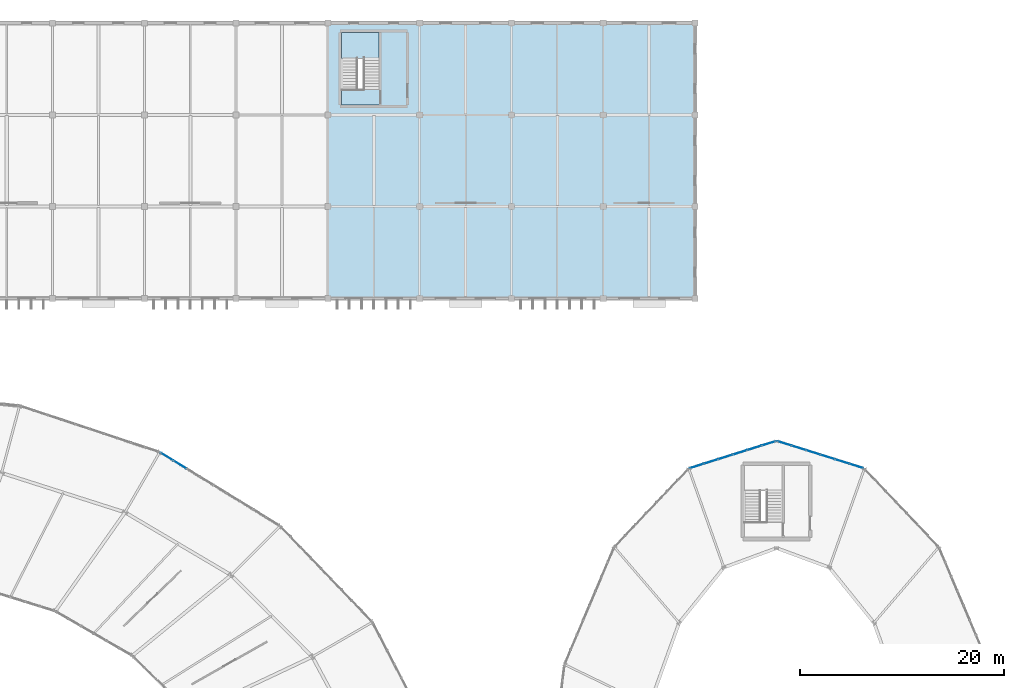
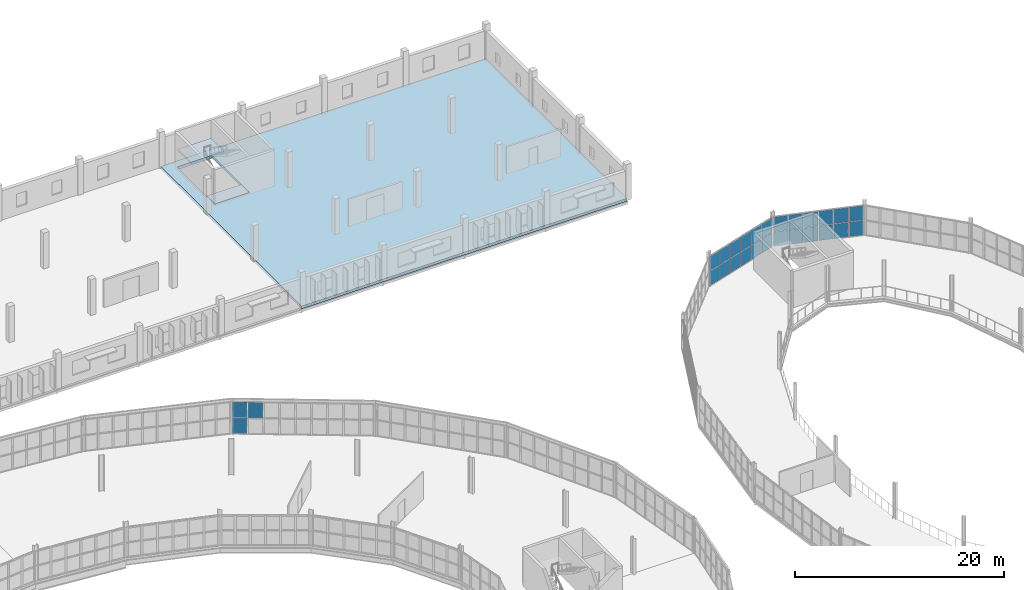
# One storey, part 129 of 161: 27 plates, 3 slabs, 4 elements without a shape of their own.
"""IFC4 building model written with IfcOpenShell, lengths in metres."""

from ifc_helpers import new_model, si_unit, direction, frame, origin, origin_2d, place, context, subcontext, project, spatial, polyline, rectangle, outline, extrude, material, layer, layer_set, type_object, element, aggregate, save


model = new_model("IFC4")

# Units and contexts
model_context = context("Model", 3, precision=1e-05, world=origin(), true_north=direction((0.0, 1.0)))
body_context = subcontext(model_context, "Body", "Model", "MODEL_VIEW")
ifc_project = project(units=[si_unit("LENGTHUNIT", "METRE"), si_unit("AREAUNIT", "SQUARE_METRE"), si_unit("VOLUMEUNIT", "CUBIC_METRE"), si_unit("PLANEANGLEUNIT", "RADIAN"), si_unit("MASSUNIT", "GRAM", prefix="KILO")], contexts=[model_context])

# Site, building, storey
site_placement = place(None, origin())
site = spatial("IfcSite", under=ifc_project, at=site_placement, CompositionType="ELEMENT")
building_placement = place(site_placement, origin())
building = spatial("IfcBuilding", under=site, at=building_placement, Name="Kildeholm Park Wholesale Market", CompositionType="ELEMENT")
storey_placement = place(building_placement, frame((0.0, 0.0, 5.39990234375)))
storey = spatial("IfcBuildingStorey", under=building, at=storey_placement, Name="L01", CompositionType="ELEMENT", Elevation=5.39990234375)

# Curtain wall, plates
ifc_material_1 = material(Name="Anodised aluminium and low-E double-glazed glass", Category="aluminium")
curtain_wall_type = type_object("IfcCurtainWallType", Name="Market hall glazed arcade stick curtain wall CW-01", PredefinedType="NOTDEFINED", material=ifc_material_1)
curtain_wall_1_placement = place(storey_placement, origin())
curtain_wall_1 = element("IfcCurtainWall", 1, at=curtain_wall_1_placement, inside=storey, type_object=curtain_wall_type, Name="Curtain wall CW-V1-OT-03-1 CW-0016", PredefinedType="NOTDEFINED")
ifc_material_2 = material(Name="Double-glazed low-E insulated glass", Category="glass")
ifc_layer_1 = layer(ifc_material_2, 0.028076171875)
ifc_layer_set_1 = layer_set([ifc_layer_1], Name="Double-glazed low-E insulated glass")
plate_type = type_object("IfcPlateType", Name="Curtain-wall panel CWP-1 28 mm", PredefinedType="CURTAIN_PANEL", material=ifc_layer_set_1)
plate_1_placement = place(storey_placement, frame((129.493408203125, 127.688720703125, 1.9326171875), z_axis=(0.0, 0.0, 1.0), x_axis=(-0.852771402766, 0.522284342695, 0.0)))
plate_1 = element("IfcPlate", 2, at=plate_1_placement, type_object=plate_type, Name="CW-01 panel 8.2 PLT-0369", PredefinedType="CURTAIN_PANEL", context=body_context, shape_type="SweptSolid", body=[
    extrude(rectangle(XDim=1.46435546875, YDim=0.028076171875, at=origin_2d()), origin(), (0.0, 0.0, 1.0), 1.802490234375),
])
plate_2_placement = place(storey_placement, frame((128.202880859375, 128.47900390625, 0.06494140625), z_axis=(0.0, 0.0, 1.0), x_axis=(-0.852771402766, 0.522284342695, 0.0)))
plate_2 = element("IfcPlate", 3, at=plate_2_placement, type_object=plate_type, Name="CW-01 panel 9.1 PLT-0370", PredefinedType="CURTAIN_PANEL", context=body_context, shape_type="SweptSolid", body=[
    extrude(rectangle(XDim=1.431884765625, YDim=0.028076171875, at=origin_2d()), origin(), (0.0, 0.0, 1.0), 1.802490234375),
])
plate_3_placement = place(storey_placement, frame((128.202880859375, 128.47900390625, 1.9326171875), z_axis=(0.0, 0.0, 1.0), x_axis=(-0.852771402766, 0.522284342695, 0.0)))
plate_3 = element("IfcPlate", 4, at=plate_3_placement, type_object=plate_type, Name="CW-01 panel 9.2 PLT-0371", PredefinedType="CURTAIN_PANEL", context=body_context, shape_type="SweptSolid", body=[
    extrude(rectangle(XDim=1.431884765625, YDim=0.028076171875, at=origin_2d()), origin(), (0.0, 0.0, 1.0), 1.802490234375),
])
aggregate(curtain_wall_1, [plate_1, plate_2, plate_3])

curtain_wall_2_placement = place(storey_placement, origin())
curtain_wall_2 = element("IfcCurtainWall", 5, at=curtain_wall_2_placement, inside=storey, type_object=curtain_wall_type, Name="Curtain wall CW-V2-L01-03 CW-0122", PredefinedType="NOTDEFINED")
plate_4_placement = place(storey_placement, frame((195.84716796875, 127.549072265625, 0.06494140625), z_axis=(0.0, 0.0, 1.0), x_axis=(-0.954103280938, 0.29947776095, 0.0)))
plate_4 = element("IfcPlate", 6, at=plate_4_placement, type_object=plate_type, Name="CW-01 panel 1.1 PLT-1788", PredefinedType="CURTAIN_PANEL", context=body_context, shape_type="SweptSolid", body=[
    extrude(rectangle(XDim=1.393310546875, YDim=0.028076171875, at=origin_2d()), origin(), (0.0, 0.0, 1.0), 1.677490234375),
])
plate_5_placement = place(storey_placement, frame((195.84716796875, 127.549072265625, 1.8076171875), z_axis=(0.0, 0.0, 1.0), x_axis=(-0.954103280938, 0.29947776095, 0.0)))
plate_5 = element("IfcPlate", 7, at=plate_5_placement, type_object=plate_type, Name="CW-01 panel 1.2 PLT-1789", PredefinedType="CURTAIN_PANEL", context=body_context, shape_type="SweptSolid", body=[
    extrude(rectangle(XDim=1.393310546875, YDim=0.028076171875, at=origin_2d()), origin(), (0.0, 0.0, 1.0), 1.677490234375),
])
plate_6_placement = place(storey_placement, frame((194.440185546875, 127.99072265625, 0.06494140625), z_axis=(0.0, 0.0, 1.0), x_axis=(-0.954103280938, 0.29947776095, 0.0)))
plate_6 = element("IfcPlate", 8, at=plate_6_placement, type_object=plate_type, Name="CW-01 panel 2.1 PLT-1790", PredefinedType="CURTAIN_PANEL", context=body_context, shape_type="SweptSolid", body=[
    extrude(rectangle(XDim=1.426025390625, YDim=0.028076171875, at=origin_2d()), origin(), (0.0, 0.0, 1.0), 1.677490234375),
])
plate_7_placement = place(storey_placement, frame((194.440185546875, 127.99072265625, 1.8076171875), z_axis=(0.0, 0.0, 1.0), x_axis=(-0.954103280938, 0.29947776095, 0.0)))
plate_7 = element("IfcPlate", 9, at=plate_7_placement, type_object=plate_type, Name="CW-01 panel 2.2 PLT-1791", PredefinedType="CURTAIN_PANEL", context=body_context, shape_type="SweptSolid", body=[
    extrude(rectangle(XDim=1.426025390625, YDim=0.028076171875, at=origin_2d()), origin(), (0.0, 0.0, 1.0), 1.677490234375),
])
plate_8_placement = place(storey_placement, frame((193.017822265625, 128.437255859375, 0.06494140625), z_axis=(0.0, 0.0, 1.0), x_axis=(-0.954103280938, 0.29947776095, 0.0)))
plate_8 = element("IfcPlate", 10, at=plate_8_placement, type_object=plate_type, Name="CW-01 panel 3.1 PLT-1792", PredefinedType="CURTAIN_PANEL", context=body_context, shape_type="SweptSolid", body=[
    extrude(rectangle(XDim=1.426025390625, YDim=0.028076171875, at=origin_2d()), origin(), (0.0, 0.0, 1.0), 1.677490234375),
])
plate_9_placement = place(storey_placement, frame((193.017822265625, 128.437255859375, 1.8076171875), z_axis=(0.0, 0.0, 1.0), x_axis=(-0.954103280938, 0.29947776095, 0.0)))
plate_9 = element("IfcPlate", 11, at=plate_9_placement, type_object=plate_type, Name="CW-01 panel 3.2 PLT-1793", PredefinedType="CURTAIN_PANEL", context=body_context, shape_type="SweptSolid", body=[
    extrude(rectangle(XDim=1.426025390625, YDim=0.028076171875, at=origin_2d()), origin(), (0.0, 0.0, 1.0), 1.677490234375),
])
plate_10_placement = place(storey_placement, frame((191.59521484375, 128.8837890625, 0.06494140625), z_axis=(0.0, 0.0, 1.0), x_axis=(-0.954103280938, 0.29947776095, 0.0)))
plate_10 = element("IfcPlate", 12, at=plate_10_placement, type_object=plate_type, Name="CW-01 panel 4.1 PLT-1794", PredefinedType="CURTAIN_PANEL", context=body_context, shape_type="SweptSolid", body=[
    extrude(rectangle(XDim=1.426025390625, YDim=0.028076171875, at=origin_2d()), origin(), (0.0, 0.0, 1.0), 1.677490234375),
])
plate_11_placement = place(storey_placement, frame((191.59521484375, 128.8837890625, 1.8076171875), z_axis=(0.0, 0.0, 1.0), x_axis=(-0.954103280938, 0.29947776095, 0.0)))
plate_11 = element("IfcPlate", 13, at=plate_11_placement, type_object=plate_type, Name="CW-01 panel 4.2 PLT-1795", PredefinedType="CURTAIN_PANEL", context=body_context, shape_type="SweptSolid", body=[
    extrude(rectangle(XDim=1.426025390625, YDim=0.028076171875, at=origin_2d()), origin(), (0.0, 0.0, 1.0), 1.677490234375),
])
plate_12_placement = place(storey_placement, frame((190.1728515625, 129.330322265625, 0.06494140625), z_axis=(0.0, 0.0, 1.0), x_axis=(-0.954103280938, 0.29947776095, 0.0)))
plate_12 = element("IfcPlate", 14, at=plate_12_placement, type_object=plate_type, Name="CW-01 panel 5.1 PLT-1796", PredefinedType="CURTAIN_PANEL", context=body_context, shape_type="SweptSolid", body=[
    extrude(rectangle(XDim=1.426025390625, YDim=0.028076171875, at=origin_2d()), origin(), (0.0, 0.0, 1.0), 1.677490234375),
])
plate_13_placement = place(storey_placement, frame((190.1728515625, 129.330322265625, 1.8076171875), z_axis=(0.0, 0.0, 1.0), x_axis=(-0.954103280938, 0.29947776095, 0.0)))
plate_13 = element("IfcPlate", 15, at=plate_13_placement, type_object=plate_type, Name="CW-01 panel 5.2 PLT-1797", PredefinedType="CURTAIN_PANEL", context=body_context, shape_type="SweptSolid", body=[
    extrude(rectangle(XDim=1.426025390625, YDim=0.028076171875, at=origin_2d()), origin(), (0.0, 0.0, 1.0), 1.677490234375),
])
plate_14_placement = place(storey_placement, frame((188.765869140625, 129.77197265625, 0.06494140625), z_axis=(0.0, 0.0, 1.0), x_axis=(-0.954103280938, 0.29947776095, 0.0)))
plate_14 = element("IfcPlate", 16, at=plate_14_placement, type_object=plate_type, Name="CW-01 panel 6.1 PLT-1798", PredefinedType="CURTAIN_PANEL", context=body_context, shape_type="SweptSolid", body=[
    extrude(rectangle(XDim=1.393310546875, YDim=0.028076171875, at=origin_2d()), origin(), (0.0, 0.0, 1.0), 1.677490234375),
])
plate_15_placement = place(storey_placement, frame((188.765869140625, 129.77197265625, 1.8076171875), z_axis=(0.0, 0.0, 1.0), x_axis=(-0.954103280938, 0.29947776095, 0.0)))
plate_15 = element("IfcPlate", 17, at=plate_15_placement, type_object=plate_type, Name="CW-01 panel 6.2 PLT-1799", PredefinedType="CURTAIN_PANEL", context=body_context, shape_type="SweptSolid", body=[
    extrude(rectangle(XDim=1.393310546875, YDim=0.028076171875, at=origin_2d()), origin(), (0.0, 0.0, 1.0), 1.677490234375),
])
aggregate(curtain_wall_2, [plate_4, plate_5, plate_6, plate_7, plate_8, plate_9, plate_10, plate_11, plate_12, plate_13, plate_14, plate_15])

curtain_wall_3_placement = place(storey_placement, origin())
curtain_wall_3 = element("IfcCurtainWall", 18, at=curtain_wall_3_placement, inside=storey, type_object=curtain_wall_type, Name="Curtain wall CW-V2-L01-04 CW-0123", PredefinedType="NOTDEFINED")
plate_16_placement = place(storey_placement, frame((187.234130859375, 129.77197265625, 0.06494140625), z_axis=(0.0, 0.0, 1.0), x_axis=(-0.954103280938, -0.29947776095, 0.0)))
plate_16 = element("IfcPlate", 19, at=plate_16_placement, type_object=plate_type, Name="CW-01 panel 1.1 PLT-1800", PredefinedType="CURTAIN_PANEL", context=body_context, shape_type="SweptSolid", body=[
    extrude(rectangle(XDim=1.393310546875, YDim=0.028076171875, at=origin_2d()), origin(), (0.0, 0.0, 1.0), 1.677490234375),
])
plate_17_placement = place(storey_placement, frame((187.234130859375, 129.77197265625, 1.8076171875), z_axis=(0.0, 0.0, 1.0), x_axis=(-0.954103280938, -0.29947776095, 0.0)))
plate_17 = element("IfcPlate", 20, at=plate_17_placement, type_object=plate_type, Name="CW-01 panel 1.2 PLT-1801", PredefinedType="CURTAIN_PANEL", context=body_context, shape_type="SweptSolid", body=[
    extrude(rectangle(XDim=1.393310546875, YDim=0.028076171875, at=origin_2d()), origin(), (0.0, 0.0, 1.0), 1.677490234375),
])
plate_18_placement = place(storey_placement, frame((185.8271484375, 129.330322265625, 0.06494140625), z_axis=(0.0, 0.0, 1.0), x_axis=(-0.954103280938, -0.29947776095, 0.0)))
plate_18 = element("IfcPlate", 21, at=plate_18_placement, type_object=plate_type, Name="CW-01 panel 2.1 PLT-1802", PredefinedType="CURTAIN_PANEL", context=body_context, shape_type="SweptSolid", body=[
    extrude(rectangle(XDim=1.426025390625, YDim=0.028076171875, at=origin_2d()), origin(), (0.0, 0.0, 1.0), 1.677490234375),
])
plate_19_placement = place(storey_placement, frame((185.8271484375, 129.330322265625, 1.8076171875), z_axis=(0.0, 0.0, 1.0), x_axis=(-0.954103280938, -0.29947776095, 0.0)))
plate_19 = element("IfcPlate", 22, at=plate_19_placement, type_object=plate_type, Name="CW-01 panel 2.2 PLT-1803", PredefinedType="CURTAIN_PANEL", context=body_context, shape_type="SweptSolid", body=[
    extrude(rectangle(XDim=1.426025390625, YDim=0.028076171875, at=origin_2d()), origin(), (0.0, 0.0, 1.0), 1.677490234375),
])
plate_20_placement = place(storey_placement, frame((184.40478515625, 128.8837890625, 0.06494140625), z_axis=(0.0, 0.0, 1.0), x_axis=(-0.954103280938, -0.29947776095, 0.0)))
plate_20 = element("IfcPlate", 23, at=plate_20_placement, type_object=plate_type, Name="CW-01 panel 3.1 PLT-1804", PredefinedType="CURTAIN_PANEL", context=body_context, shape_type="SweptSolid", body=[
    extrude(rectangle(XDim=1.426025390625, YDim=0.028076171875, at=origin_2d()), origin(), (0.0, 0.0, 1.0), 1.677490234375),
])
plate_21_placement = place(storey_placement, frame((184.40478515625, 128.8837890625, 1.8076171875), z_axis=(0.0, 0.0, 1.0), x_axis=(-0.954103280938, -0.29947776095, 0.0)))
plate_21 = element("IfcPlate", 24, at=plate_21_placement, type_object=plate_type, Name="CW-01 panel 3.2 PLT-1805", PredefinedType="CURTAIN_PANEL", context=body_context, shape_type="SweptSolid", body=[
    extrude(rectangle(XDim=1.426025390625, YDim=0.028076171875, at=origin_2d()), origin(), (0.0, 0.0, 1.0), 1.677490234375),
])
plate_22_placement = place(storey_placement, frame((182.982177734375, 128.437255859375, 0.06494140625), z_axis=(0.0, 0.0, 1.0), x_axis=(-0.954103280938, -0.29947776095, 0.0)))
plate_22 = element("IfcPlate", 25, at=plate_22_placement, type_object=plate_type, Name="CW-01 panel 4.1 PLT-1806", PredefinedType="CURTAIN_PANEL", context=body_context, shape_type="SweptSolid", body=[
    extrude(rectangle(XDim=1.426025390625, YDim=0.028076171875, at=origin_2d()), origin(), (0.0, 0.0, 1.0), 1.677490234375),
])
plate_23_placement = place(storey_placement, frame((182.982177734375, 128.437255859375, 1.8076171875), z_axis=(0.0, 0.0, 1.0), x_axis=(-0.954103280938, -0.29947776095, 0.0)))
plate_23 = element("IfcPlate", 26, at=plate_23_placement, type_object=plate_type, Name="CW-01 panel 4.2 PLT-1807", PredefinedType="CURTAIN_PANEL", context=body_context, shape_type="SweptSolid", body=[
    extrude(rectangle(XDim=1.426025390625, YDim=0.028076171875, at=origin_2d()), origin(), (0.0, 0.0, 1.0), 1.677490234375),
])
plate_24_placement = place(storey_placement, frame((181.559814453125, 127.99072265625, 0.06494140625), z_axis=(0.0, 0.0, 1.0), x_axis=(-0.954103280938, -0.29947776095, 0.0)))
plate_24 = element("IfcPlate", 27, at=plate_24_placement, type_object=plate_type, Name="CW-01 panel 5.1 PLT-1808", PredefinedType="CURTAIN_PANEL", context=body_context, shape_type="SweptSolid", body=[
    extrude(rectangle(XDim=1.426025390625, YDim=0.028076171875, at=origin_2d()), origin(), (0.0, 0.0, 1.0), 1.677490234375),
])
plate_25_placement = place(storey_placement, frame((181.559814453125, 127.99072265625, 1.8076171875), z_axis=(0.0, 0.0, 1.0), x_axis=(-0.954103280938, -0.29947776095, 0.0)))
plate_25 = element("IfcPlate", 28, at=plate_25_placement, type_object=plate_type, Name="CW-01 panel 5.2 PLT-1809", PredefinedType="CURTAIN_PANEL", context=body_context, shape_type="SweptSolid", body=[
    extrude(rectangle(XDim=1.426025390625, YDim=0.028076171875, at=origin_2d()), origin(), (0.0, 0.0, 1.0), 1.677490234375),
])
plate_26_placement = place(storey_placement, frame((180.15283203125, 127.549072265625, 0.06494140625), z_axis=(0.0, 0.0, 1.0), x_axis=(-0.954103280938, -0.29947776095, 0.0)))
plate_26 = element("IfcPlate", 29, at=plate_26_placement, type_object=plate_type, Name="CW-01 panel 6.1 PLT-1810", PredefinedType="CURTAIN_PANEL", context=body_context, shape_type="SweptSolid", body=[
    extrude(rectangle(XDim=1.393310546875, YDim=0.028076171875, at=origin_2d()), origin(), (0.0, 0.0, 1.0), 1.677490234375),
])
plate_27_placement = place(storey_placement, frame((180.15283203125, 127.549072265625, 1.8076171875), z_axis=(0.0, 0.0, 1.0), x_axis=(-0.954103280938, -0.29947776095, 0.0)))
plate_27 = element("IfcPlate", 30, at=plate_27_placement, type_object=plate_type, Name="CW-01 panel 6.2 PLT-1811", PredefinedType="CURTAIN_PANEL", context=body_context, shape_type="SweptSolid", body=[
    extrude(rectangle(XDim=1.393310546875, YDim=0.028076171875, at=origin_2d()), origin(), (0.0, 0.0, 1.0), 1.677490234375),
])
aggregate(curtain_wall_3, [plate_16, plate_17, plate_18, plate_19, plate_20, plate_21, plate_22, plate_23, plate_24, plate_25, plate_26, plate_27])

# Slabs
ifc_material_3 = material(Name="Concrete C40/50", Category="concrete")
ifc_layer_2 = layer(ifc_material_3, 0.320068359375)
ifc_layer_set_2 = layer_set([ifc_layer_2], Name="Concrete C40/50")
slab_type_1 = type_object("IfcSlabType", Name="Slab S-FL4 320 mm", PredefinedType="FLOOR", material=ifc_layer_set_2)
slab_1_placement = place(storey_placement, frame((0.0, 0.0, -0.31982421875)))
element("IfcSlab", 31, at=slab_1_placement, inside=storey, type_object=slab_type_1, Name="V4 L01 slab N part 4 SLB-0350", PredefinedType="FLOOR", context=body_context, shape_type="SweptSolid", body=[
    extrude(outline(polyline([(144.0, 171.0), (180.0, 171.0), (180.0, 144.0), (144.0, 144.0), (144.0, 171.0)]), holes=[polyline([(149.179931640625, 162.919921875), (149.179931640625, 170.080078125), (145.320068359375, 170.080078125), (145.320068359375, 162.919921875), (149.179931640625, 162.919921875)])]), origin(), (0.0, 0.0, 1.0), 0.31982421875),
])
ifc_material_4 = material(Name="Concrete C35/45", Category="concrete")
ifc_layer_3 = layer(ifc_material_4, 0.239990234375)
ifc_layer_set_3 = layer_set([ifc_layer_3], Name="Concrete C35/45")
slab_type_2 = type_object("IfcSlabType", Name="Stair landing slab S-LD1 240 mm", PredefinedType="LANDING", material=ifc_layer_set_3)
slab_2_placement = place(storey_placement, frame((0.0, 0.0, -0.239990234375)))
element("IfcSlab", 32, at=slab_2_placement, inside=storey, type_object=slab_type_2, Name="Core C03 stair landing slab L01 SLB-0416", PredefinedType="LANDING", context=body_context, shape_type="SweptSolid", body=[
    extrude(outline(polyline([(145.35009765625, 162.949951171875), (149.14990234375, 162.949951171875), (149.14990234375, 164.5), (145.35009765625, 164.5), (145.35009765625, 162.949951171875)])), origin(), (0.0, 0.0, 1.0), 0.239990234375),
])

# Stair, slab
stair_type = type_object("IfcStairType", Name="Protected upper core escape stair ST-CR2", PredefinedType="HALF_TURN_STAIR", material=ifc_material_4)
stair_placement = place(storey_placement, origin())
stair = element("IfcStair", 33, at=stair_placement, inside=storey, type_object=stair_type, Name="Escape stair C03 L01 STR-0007", PredefinedType="HALF_TURN_STAIR")
slab_3_placement = place(storey_placement, frame((0.0, 0.0, 1.860107421875)))
slab_3 = element("IfcSlab", 34, at=slab_3_placement, type_object=slab_type_2, Name="ST-03-01 landing 1 SLB-0417", PredefinedType="LANDING", context=body_context, shape_type="SweptSolid", body=[
    extrude(outline(polyline([(145.35009765625, 167.514892578125), (149.030029296875, 167.534912109375), (149.030029296875, 170.050048828125), (145.35009765625, 170.050048828125), (145.35009765625, 167.514892578125)])), origin(), (0.0, 0.0, 1.0), 0.239990234375),
])
aggregate(stair, [slab_3])

save(model, "model.ifc")
